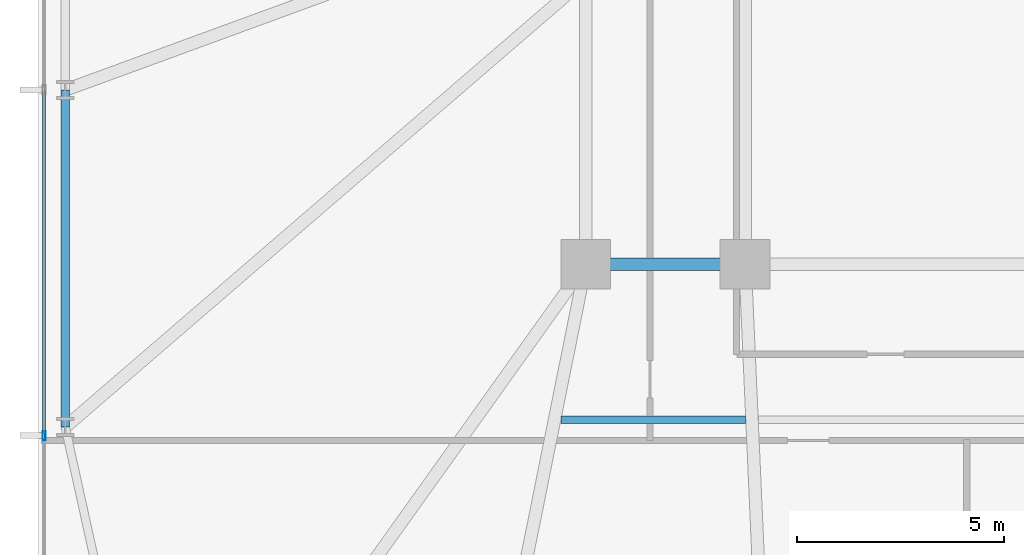
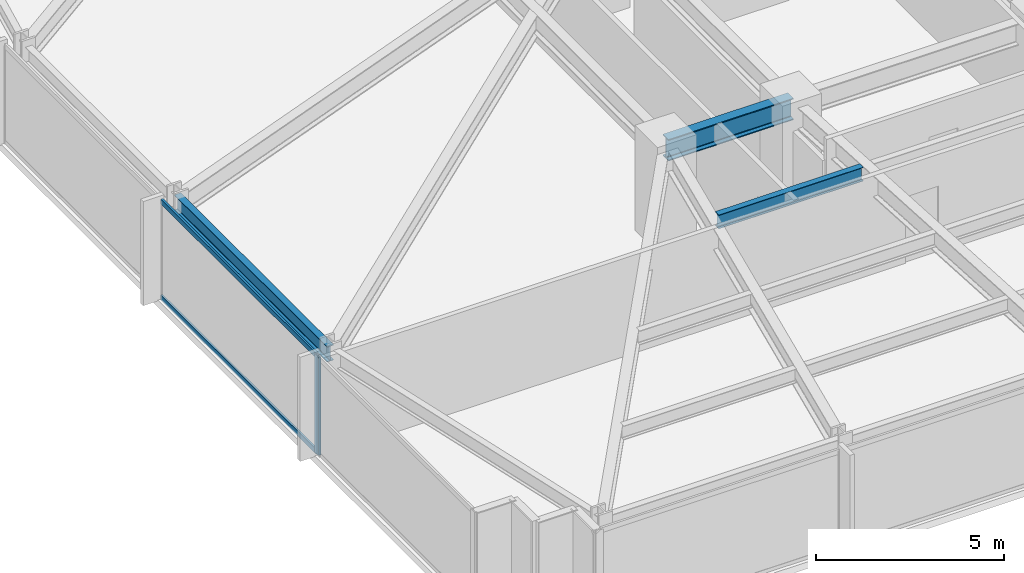
# One storey, part 4 of 32: 3 beams, 3 members, 1 element without a shape of its own.
"""IFC4 building model written with IfcOpenShell, lengths in metres."""

import ifcopenshell
import ifcopenshell.guid

model = None  # the IFC model being written
_history = None  # IfcOwnerHistory: only IFC2X3 demands one
_inside = {}  # id of a spatial element -> (the spatial element, [elements in it])
_under = {}  # id of a project, library or spatial element -> (it, [spatial elements below it])
_declared = {}  # id of a project -> (the project, [libraries it declares])
_typed = {}  # id of a type object -> (the type object, [elements of that type])
_made_of = {}  # id of a material, layer set ... -> (it, [elements and type objects made of it])


def new_model(schema):
    """Start an empty IFC model of exactly this schema.

    Asked for "IFC4X3", IfcOpenShell would pick the latest addendum, in which some entities
    have other attributes; the version numbers below select the first issue.
    IFC2X3 requires an IfcOwnerHistory on every rooted entity: one is made here for all.
    """
    global model, _history
    if schema == "IFC4X3":
        model = ifcopenshell.file(schema_version=(4, 3, 0, 0))
    else:
        model = ifcopenshell.file(schema=schema)
    _inside.clear()
    _under.clear()
    _declared.clear()
    _typed.clear()
    _made_of.clear()
    _history = None
    if model.schema == "IFC2X3":
        org = make("IfcOrganization", Name="unknown")
        user = make(
            "IfcPersonAndOrganization",
            ThePerson=make("IfcPerson", FamilyName="unknown"),
            TheOrganization=org,
        )
        app = make(
            "IfcApplication",
            ApplicationDeveloper=org,
            Version="unknown",
            ApplicationFullName="unknown",
            ApplicationIdentifier="unknown",
        )
        _history = make(
            "IfcOwnerHistory",
            OwningUser=user,
            OwningApplication=app,
            ChangeAction="ADDED",
            CreationDate=0,
        )
    return model


def make(cls, **values):
    """One entity of the class cls with the attributes given. An attribute that is None is left unset."""
    return model.create_entity(
        cls, **{name: value for name, value in values.items() if value is not None}
    )


def rooted(cls, **values):
    """An entity with a GlobalId (a new one), such as an element, a storey or a relation."""
    return make(cls, GlobalId=ifcopenshell.guid.new(), OwnerHistory=_history, **values)


def si_unit(unit_type, name, prefix=None):
    """IfcSIUnit, for example si_unit("LENGTHUNIT", "METRE", prefix="MILLI")."""
    return make("IfcSIUnit", UnitType=unit_type, Prefix=prefix, Name=name)


def assignment(units):
    """IfcUnitAssignment: the units of a project."""
    return None if units is None else make("IfcUnitAssignment", Units=units)


def point(xyz):
    """IfcCartesianPoint."""
    return None if xyz is None else make("IfcCartesianPoint", Coordinates=xyz)


def direction(xyz):
    """IfcDirection."""
    return None if xyz is None else make("IfcDirection", DirectionRatios=xyz)


def frame(location, z_axis=None, x_axis=None):
    """IfcAxis2Placement3D, a coordinate frame: its origin and axes. An axis left out is left unset."""
    return make(
        "IfcAxis2Placement3D",
        Location=point(location),
        Axis=direction(z_axis),
        RefDirection=direction(x_axis),
    )


def frame_2d(location, x_axis=None):
    """IfcAxis2Placement2D, a coordinate frame in the plane: its origin and x axis."""
    return make(
        "IfcAxis2Placement2D", Location=point(location), RefDirection=direction(x_axis)
    )


def origin():
    """The frame at (0, 0, 0) with its axes left unset."""
    return frame((0.0, 0.0, 0.0))


def origin_2d():
    """The frame at (0, 0) in the plane with its x axis left unset."""
    return frame_2d((0.0, 0.0))


def place(relative_to, where):
    """IfcLocalPlacement: puts the frame where relative to a parent placement (None: the world)."""
    return make(
        "IfcLocalPlacement", PlacementRelTo=relative_to, RelativePlacement=where
    )


def context(
    kind, dimensions, precision=None, world=None, true_north=None, identifier=None
):
    """IfcGeometricRepresentationContext, for example the 3D "Model" context."""
    return make(
        "IfcGeometricRepresentationContext",
        ContextIdentifier=identifier,
        ContextType=kind,
        CoordinateSpaceDimension=dimensions,
        Precision=precision,
        WorldCoordinateSystem=world,
        TrueNorth=true_north,
    )


def subcontext(parent, identifier, kind, view, scale=None):
    """IfcGeometricRepresentationSubContext, for example "Body" below "Model"."""
    return make(
        "IfcGeometricRepresentationSubContext",
        ContextIdentifier=identifier,
        ContextType=kind,
        ParentContext=parent,
        TargetScale=scale,
        TargetView=view,
    )


def project(units=None, contexts=None):
    """IfcProject with its units and contexts."""
    return rooted(
        "IfcProject",
        Name="project",
        RepresentationContexts=contexts,
        UnitsInContext=assignment(units),
    )


def spatial(cls, under=None, at=None, **own):
    """A site, building, storey or space (cls), placed at a placement, below another one or the project."""
    s = rooted(cls, ObjectPlacement=at, **own)
    if under is not None:
        _under.setdefault(under.id(), (under, []))[1].append(s)
    return s


def profile(cls, at=None, kind="AREA", **sizes):
    """A parametric profile (cls). Its sizes go by their IFC names, for example OverallWidth=200.0."""
    return make(cls, ProfileType=kind, Position=at, **sizes)


def hollow_rectangle(**sizes):
    """IfcRectangleHollowProfileDef."""
    return profile("IfcRectangleHollowProfileDef", **sizes)


def i_section(**sizes):
    """IfcIShapeProfileDef."""
    return profile("IfcIShapeProfileDef", **sizes)


def extrude(swept, where, along, depth):
    """IfcExtrudedAreaSolid: the profile swept, set in the frame where, extruded along a direction by depth."""
    return make(
        "IfcExtrudedAreaSolid",
        SweptArea=swept,
        Position=where,
        ExtrudedDirection=direction(along),
        Depth=depth,
    )


def shape(context_of_items, identifier, shape_type, items):
    """IfcShapeRepresentation: the items that make up one representation, for example the "Body"."""
    return make(
        "IfcShapeRepresentation",
        ContextOfItems=context_of_items,
        RepresentationIdentifier=identifier,
        RepresentationType=shape_type,
        Items=items,
    )


def material(Name=None, Category=None):
    """IfcMaterial."""
    return make("IfcMaterial", Name=Name, Category=Category)


def material_profile(
    of_material, cross_section, Name=None, Category=None, Priority=None
):
    """IfcMaterialProfile: a cross section and its material."""
    return make(
        "IfcMaterialProfile",
        Name=Name,
        Material=of_material,
        Profile=cross_section,
        Priority=Priority,
        Category=Category,
    )


def profile_set(profiles, Name=None, composite=None):
    """IfcMaterialProfileSet."""
    return make(
        "IfcMaterialProfileSet",
        Name=Name,
        MaterialProfiles=profiles,
        CompositeProfile=composite,
    )


def made_of(thing, what):
    """Note that an element or type object is made of a material, layer set ...; save() writes the relation."""
    if what is not None:
        _made_of.setdefault(what.id(), (what, []))[1].append(thing)
    return thing


def type_object(cls, material=None, **own):
    """A type object (cls), such as IfcWallType, which elements share."""
    return made_of(rooted(cls, **own), material)


def element(
    cls,
    number,
    at=None,
    inside=None,
    cuts=None,
    type_object=None,
    material=None,
    context=None,
    identifier="Body",
    shape_type=None,
    held_by="IfcProductDefinitionShape",
    body=None,
    shapes=None,
    **own,
):
    """One element of the class cls, such as IfcWall. Its Tag is "e" and its number.

    at: its placement. inside: the storey or other place that contains it. cuts: it is an
    opening in that element (IfcRelVoidsElement). A single representation is given by context,
    identifier, shape_type and body (its items); several are given by shapes. held_by: the class
    of the entity that holds the representations. save() writes the other relations.
    """
    e = rooted(cls, Tag="e%d" % number, ObjectPlacement=at, **own)
    if body is not None:
        shapes = [shape(context, identifier, shape_type, body)]
    if shapes is not None:
        e.Representation = make(held_by, Representations=shapes)
    if inside is not None:
        _inside.setdefault(inside.id(), (inside, []))[1].append(e)
    if cuts is not None:
        rooted(
            "IfcRelVoidsElement", RelatingBuildingElement=cuts, RelatedOpeningElement=e
        )
    if type_object is not None:
        _typed.setdefault(type_object.id(), (type_object, []))[1].append(e)
    return made_of(e, material)


def aggregate(whole, parts):
    """IfcRelAggregates: a whole, such as a stair, and the parts it consists of."""
    return rooted("IfcRelAggregates", RelatingObject=whole, RelatedObjects=parts)


def save(model, path):
    """Write the relations noted so far, then the file.

    IfcRelAggregates (storeys below a building ...), IfcRelContainedInSpatialStructure (elements
    in a storey), IfcRelDefinesByType, IfcRelAssociatesMaterial and IfcRelDeclares: one each for
    every whole, place, type object, material and project.
    """
    for whole, parts in _under.values():
        aggregate(whole, parts)
    for where, things in _inside.values():
        rooted(
            "IfcRelContainedInSpatialStructure",
            RelatedElements=things,
            RelatingStructure=where,
        )
    for kind, things in _typed.values():
        rooted("IfcRelDefinesByType", RelatedObjects=things, RelatingType=kind)
    for what, things in _made_of.values():
        rooted("IfcRelAssociatesMaterial", RelatedObjects=things, RelatingMaterial=what)
    for by, libraries in _declared.values():
        rooted("IfcRelDeclares", RelatingContext=by, RelatedDefinitions=libraries)
    model.write(path)


model = new_model("IFC4")

# Units and contexts
model_context = context("Model", 3, precision=1e-05, world=origin(), true_north=direction((0.0, 1.0)))
body_context = subcontext(model_context, "Body", "Model", "MODEL_VIEW")
ifc_project = project(units=[si_unit("LENGTHUNIT", "METRE"), si_unit("AREAUNIT", "SQUARE_METRE"), si_unit("VOLUMEUNIT", "CUBIC_METRE"), si_unit("PLANEANGLEUNIT", "RADIAN"), si_unit("MASSUNIT", "GRAM", prefix="KILO")], contexts=[model_context])

# Site, building, storey
site_placement = place(None, origin())
site = spatial("IfcSite", under=ifc_project, at=site_placement, CompositionType="ELEMENT")
building_placement = place(site_placement, origin())
building = spatial("IfcBuilding", under=site, at=building_placement, Name="Yelkora Congress Tower", CompositionType="ELEMENT")
storey_placement = place(building_placement, frame((0.0, 0.0, 40.60009765625)))
storey = spatial("IfcBuildingStorey", under=building, at=storey_placement, Name="L09", CompositionType="ELEMENT", Elevation=40.60009765625)

# Beams
ifc_material_1 = material(Name="Steel S355J2", Category="steel")
ifc_material_profile_1 = material_profile(ifc_material_1, i_section(OverallWidth=0.300048828125, OverallDepth=0.699951171875, WebThickness=0.01708984375, FlangeThickness=0.031982421875, FilletRadius=0.027099609375, at=origin_2d()), Name="HEB 700")
ifc_profile_set_1 = profile_set([ifc_material_profile_1], Name="Steel S355J2")
beam_type_1 = type_object("IfcBeamType", Name="BM-GIRD-HEB700", PredefinedType="BEAM", material=ifc_profile_set_1)
beam_1_placement = place(storey_placement, frame((19.199951171875, 25.199951171875, 2.829833984375), z_axis=(1.0, 0.0, 0.0), x_axis=(0.0, 1.0, 0.0)))
element("IfcBeam", 1, at=beam_1_placement, inside=storey, type_object=beam_type_1, Name="L09 Spine Grid D Girder 1", PredefinedType="BEAM", context=body_context, shape_type="SweptSolid", body=[
    extrude(i_section(OverallWidth=0.300048828125, OverallDepth=0.699951171875, WebThickness=0.01708984375, FlangeThickness=0.031982421875, FilletRadius=0.027099609375, at=origin_2d()), origin(), (0.0, 0.0, 1.0), 3.840087890625),
])
ifc_material_profile_2 = material_profile(ifc_material_1, i_section(OverallWidth=0.18994140625, OverallDepth=0.449951171875, WebThickness=0.009521484375, FlangeThickness=0.0146484375, FilletRadius=0.02099609375, at=origin_2d()), Name="IPE 450")
ifc_profile_set_2 = profile_set([ifc_material_profile_2], Name="Steel S355J2")
beam_type_2 = type_object("IfcBeamType", Name="BM-JOIST-IPE450", PredefinedType="JOIST", material=ifc_profile_set_2)
beam_2_placement = place(storey_placement, frame((18.60546875, 21.449951171875, 2.954833984375), z_axis=(1.0, 0.0, 0.0), x_axis=(0.0, 1.0, 0.0)))
element("IfcBeam", 2, at=beam_2_placement, inside=storey, type_object=beam_type_2, Name="L09 Composite Floor Joist 17", PredefinedType="JOIST", context=body_context, shape_type="SweptSolid", body=[
    extrude(i_section(OverallWidth=0.18994140625, OverallDepth=0.449951171875, WebThickness=0.009521484375, FlangeThickness=0.0146484375, FilletRadius=0.02099609375, at=origin_2d()), origin(), (0.0, 0.0, 1.0), 4.4404296875),
])
ifc_material_profile_3 = material_profile(ifc_material_1, i_section(OverallWidth=0.199951171875, OverallDepth=0.5, WebThickness=0.01025390625, FlangeThickness=0.01611328125, FilletRadius=0.02099609375, at=origin_2d()), Name="IPE 500")
ifc_profile_set_3 = profile_set([ifc_material_profile_3], Name="Steel S355J2")
beam_type_3 = type_object("IfcBeamType", Name="BM-SPAN-IPE500", PredefinedType="SPANDREL", material=ifc_profile_set_3)
beam_3_placement = place(storey_placement, frame((6.64990234375, 29.39990234375, 2.929931640625), z_axis=(0.0, -1.0, 0.0), x_axis=(1.0, 0.0, 0.0)))
element("IfcBeam", 3, at=beam_3_placement, inside=storey, type_object=beam_type_3, Name="L09 Perimeter Beam 19", PredefinedType="SPANDREL", context=body_context, shape_type="SweptSolid", body=[
    extrude(i_section(OverallWidth=0.199951171875, OverallDepth=0.5, WebThickness=0.01025390625, FlangeThickness=0.01611328125, FilletRadius=0.02099609375, at=origin_2d()), origin(), (0.0, 0.0, 1.0), 8.125),
])

# Curtain wall, members
ifc_material_2 = material(Name="Anodised aluminium and insulated glass", Category="aluminium")
curtain_wall_type = type_object("IfcCurtainWallType", Name="CW-SYS-B1", PredefinedType="NOTDEFINED", material=ifc_material_2)
curtain_wall_placement = place(storey_placement, origin())
curtain_wall = element("IfcCurtainWall", 4, at=curtain_wall_placement, inside=storey, type_object=curtain_wall_type, Name="L09 Unitised Curtain Wall 5", PredefinedType="NOTDEFINED")
ifc_material_3 = material(Name="Anodised aluminium 6063-T6", Category="aluminium")
ifc_material_profile_4 = material_profile(ifc_material_3, hollow_rectangle(XDim=0.074951171875, YDim=0.219970703125, WallThickness=0.0048828125, at=origin_2d()), Name="ALU 75x220x5")
ifc_profile_set_4 = profile_set([ifc_material_profile_4], Name="Anodised aluminium 6063-T6")
member_type_1 = type_object("IfcMemberType", Name="MEM-ML-B1", PredefinedType="MULLION", material=ifc_profile_set_4)
member_1_placement = place(storey_placement, frame((6.139892578125, 21.070068359375, 0.0), z_axis=(0.0, 0.0, 1.0), x_axis=(-1.0, 0.0, 0.0)))
member_1 = element("IfcMember", 5, at=member_1_placement, type_object=member_type_1, Name="CW-B1 mullion 2", PredefinedType="MULLION", context=body_context, shape_type="SweptSolid", body=[
    extrude(hollow_rectangle(XDim=0.074951171875, YDim=0.219970703125, WallThickness=0.0048828125, at=origin_2d()), origin(), (0.0, 0.0, 1.0), 3.179931640625),
])
ifc_material_profile_5 = material_profile(ifc_material_3, hollow_rectangle(XDim=0.06494140625, YDim=0.159912109375, WallThickness=0.00390625, at=origin_2d()), Name="ALU 65x160x4")
ifc_profile_set_5 = profile_set([ifc_material_profile_5], Name="Anodised aluminium 6063-T6")
member_type_2 = type_object("IfcMemberType", Name="MEM-TR-B1", PredefinedType="USERDEFINED", material=ifc_profile_set_5)
member_2_placement = place(storey_placement, frame((6.139892578125, 21.107421875, 0.032470703125), z_axis=(0.0, 1.0, 0.0), x_axis=(-1.0, 0.0, 0.0)))
member_2 = element("IfcMember", 6, at=member_2_placement, type_object=member_type_2, Name="CW-B1 transom 2.1", ObjectType="TRANSOM", PredefinedType="USERDEFINED", context=body_context, shape_type="SweptSolid", body=[
    extrude(hollow_rectangle(XDim=0.06494140625, YDim=0.159912109375, WallThickness=0.00390625, at=origin_2d()), origin(), (0.0, 0.0, 1.0), 8.255126953125),
])
member_3_placement = place(storey_placement, frame((6.139892578125, 21.107421875, 3.1474609375), z_axis=(0.0, 1.0, 0.0), x_axis=(-1.0, 0.0, 0.0)))
member_3 = element("IfcMember", 7, at=member_3_placement, type_object=member_type_2, Name="CW-B1 transom 2.2", ObjectType="TRANSOM", PredefinedType="USERDEFINED", context=body_context, shape_type="SweptSolid", body=[
    extrude(hollow_rectangle(XDim=0.06494140625, YDim=0.159912109375, WallThickness=0.00390625, at=origin_2d()), origin(), (0.0, 0.0, 1.0), 8.255126953125),
])
aggregate(curtain_wall, [member_1, member_2, member_3])

save(model, "model.ifc")
